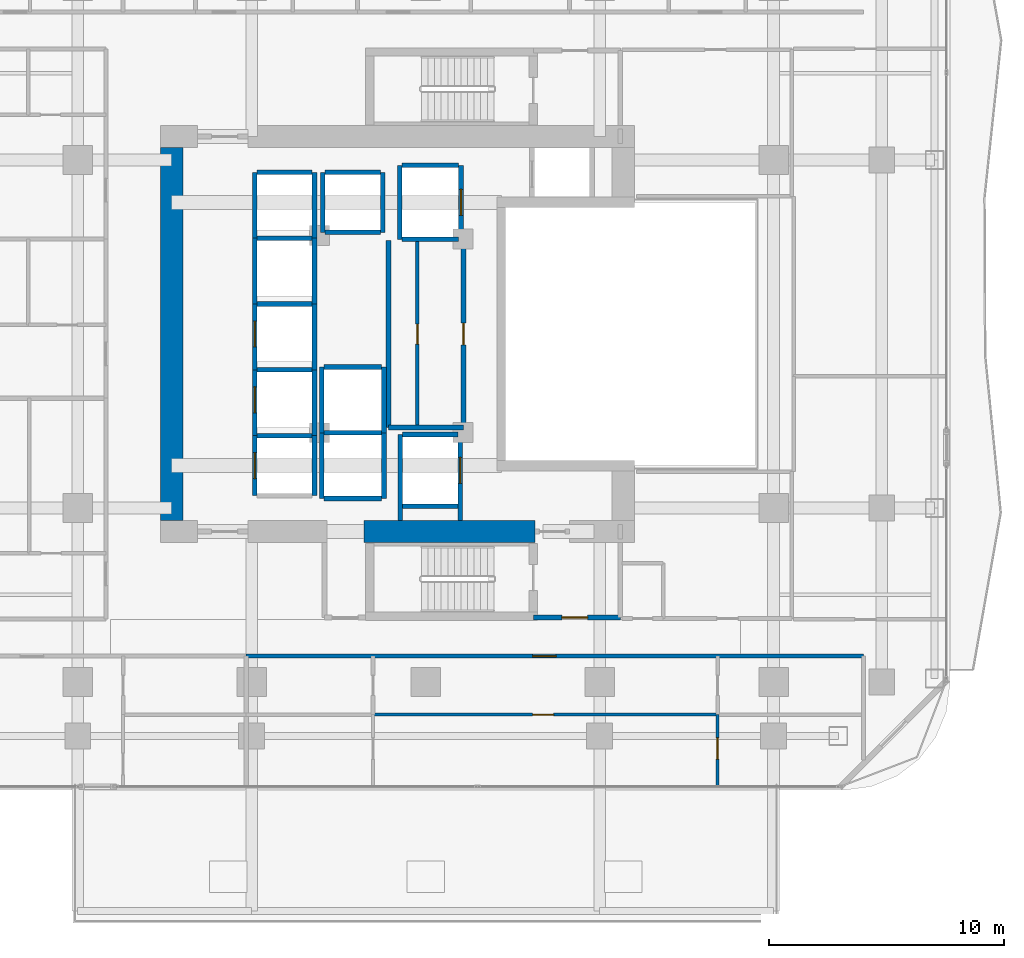
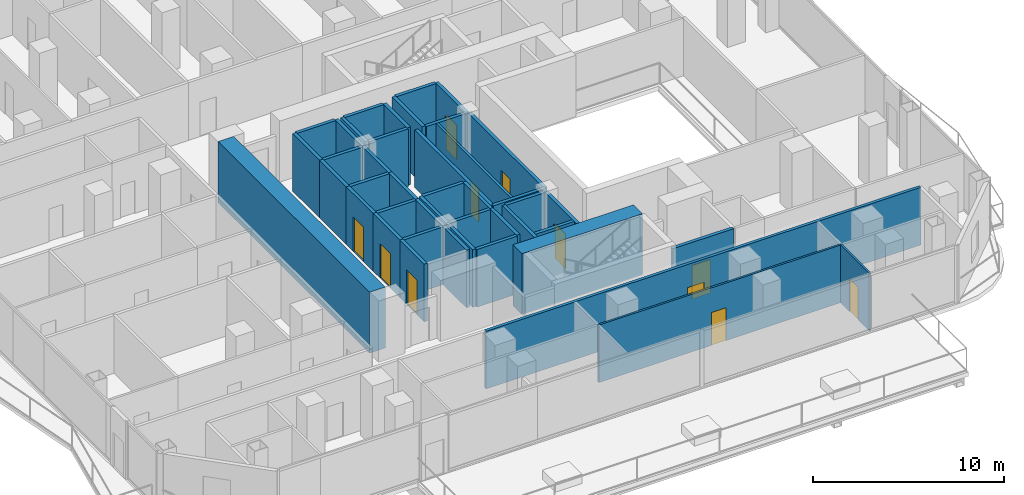
# One storey, part 20 of 29: 44 walls, 11 doors, 11 openings.
"""IFC4 building model written with IfcOpenShell, lengths in metres."""

from ifc_helpers import new_model, si_unit, direction, frame, frame_2d, origin, place, context, subcontext, project, spatial, rectangle, extrude, material, layer, layer_set, type_object, element, fill, save


model = new_model("IFC4")

# Units and contexts
model_context = context("Model", 3, precision=1e-05, world=origin(), true_north=direction((0.0, 1.0)))
body_context = subcontext(model_context, "Body", "Model", "MODEL_VIEW")
ifc_project = project(units=[si_unit("LENGTHUNIT", "METRE"), si_unit("AREAUNIT", "SQUARE_METRE"), si_unit("VOLUMEUNIT", "CUBIC_METRE"), si_unit("PLANEANGLEUNIT", "RADIAN"), si_unit("MASSUNIT", "GRAM", prefix="KILO")], contexts=[model_context])

# Site, building, storey
site_placement = place(None, origin())
site = spatial("IfcSite", under=ifc_project, at=site_placement, CompositionType="ELEMENT")
building_placement = place(site_placement, origin())
building = spatial("IfcBuilding", under=site, at=building_placement, Name="Khorvyn Point Tower", CompositionType="ELEMENT")
storey_placement = place(building_placement, frame((0.0, 0.0, 85.199951171875)))
storey = spatial("IfcBuildingStorey", under=building, at=storey_placement, Name="L21", CompositionType="ELEMENT", Elevation=85.199951171875)

# Wall, opening, door
ifc_material_1 = material(Name="Double acoustic gypsum on twin steel stud", Category="steel")
ifc_layer_1 = layer(ifc_material_1, 0.179931640625)
ifc_layer_set_1 = layer_set([ifc_layer_1], Name="Acoustic Double-Stud Apartment Demising Wall 180")
wall_type_1 = type_object("IfcWallType", Name="Acoustic Double-Stud Apartment Demising Wall 180", PredefinedType="PARTITIONING", material=ifc_layer_set_1)
wall_1_placement = place(storey_placement, frame((-7.634033203125, -13.699951171875, 0.0), z_axis=(0.0, 0.0, 1.0), x_axis=(1.0, 0.0, 0.0)))
wall_1 = element("IfcWall", 1, at=wall_1_placement, inside=storey, type_object=wall_type_1, Name="Wall", PredefinedType="PARTITIONING", context=body_context, shape_type="SweptSolid", body=[
    extrude(rectangle(XDim=26.254150390625, YDim=0.179931640625, at=frame_2d((13.126953125, 0.0))), origin(), (0.0, 0.0, 1.0), 3.679931640625),
])
opening_1_placement = place(wall_1_placement, frame((12.178466796875, 0.0, 0.0)))
opening_1 = element("IfcOpeningElement", 2, at=opening_1_placement, cuts=wall_1, Name="Opening ID-AP60", PredefinedType="OPENING", context=body_context, shape_type="SweptSolid", body=[
    extrude(rectangle(XDim=1.0, YDim=2.199951171875, at=frame_2d((0.5, 1.10009765625))), frame((0.0, 0.099853515625, 0.0), z_axis=(0.0, -1.0, 0.0), x_axis=(1.0, 0.0, 0.0)), (0.0, 0.0, 1.0), 0.199951171875),
])
ifc_material_2 = material(Name="Engineered hardwood fire-rated leaf", Category="wood")
door_type_1 = type_object("IfcDoorType", Name="Acoustic Solid-Core Timber Apartment Entrance Door 1000x2200", OperationType="NOTDEFINED", PredefinedType="DOOR", material=ifc_material_2)
door_1_placement = place(opening_1_placement, origin())
door_1 = element("IfcDoor", 3, at=door_1_placement, inside=storey, type_object=door_type_1, Name="Door", OperationType="SINGLE_SWING_LEFT", OverallHeight=2.199951171875, OverallWidth=1.0, PredefinedType="DOOR", context=body_context, shape_type="SweptSolid", body=[
    extrude(rectangle(XDim=1.0, YDim=2.199951171875, at=frame_2d((0.5, 1.10009765625))), frame((0.0, 0.02490234375, 0.0), z_axis=(0.0, -1.0, 0.0), x_axis=(1.0, 0.0, 0.0)), (0.0, 0.0, 1.0), 0.050048828125),
])
fill(opening_1, door_1)

ifc_material_3 = material(Name="Concrete C40/50", Category="concrete")
ifc_layer_2 = layer(ifc_material_3, 0.199951171875)
ifc_layer_set_2 = layer_set([ifc_layer_2], Name="Concrete C40/50 Fire-Lobby Compartment Wall 200")
wall_type_2 = type_object("IfcWallType", Name="Concrete C40/50 Fire-Lobby Compartment Wall 200", PredefinedType="SOLIDWALL", material=ifc_layer_set_2)
wall_2_placement = place(storey_placement, frame((4.580078125, -12.06005859375, 0.0), z_axis=(0.0, 0.0, 1.0), x_axis=(1.0, 0.0, 0.0)))
wall_2 = element("IfcWall", 4, at=wall_2_placement, inside=storey, type_object=wall_type_2, Name="Wall", PredefinedType="SOLIDWALL", context=body_context, shape_type="SweptSolid", body=[
    extrude(rectangle(XDim=3.699951171875, YDim=0.199951171875, at=frame_2d((1.85009765625, 0.0))), origin(), (0.0, 0.0, 1.0), 3.679931640625),
])
opening_2_placement = place(wall_2_placement, frame((1.21240234375, 0.0, 0.0)))
opening_2 = element("IfcOpeningElement", 5, at=opening_2_placement, cuts=wall_2, Name="Opening ID-FL90", PredefinedType="OPENING", context=body_context, shape_type="SweptSolid", body=[
    extrude(rectangle(XDim=1.10009765625, YDim=2.14990234375, at=frame_2d((0.550048828125, 1.074951171875))), frame((0.0, 0.10986328125, 0.0), z_axis=(0.0, -1.0, 0.0), x_axis=(1.0, 0.0, 0.0)), (0.0, 0.0, 1.0), 0.219970703125),
])
ifc_material_4 = material(Name="Galvanised powder-coated steel", Category="steel")
door_type_2 = type_object("IfcDoorType", Name="Fire-Rated Steel Lobby and Stair Door 1100x2150", OperationType="NOTDEFINED", PredefinedType="DOOR", material=ifc_material_4)
door_2_placement = place(opening_2_placement, origin())
door_2 = element("IfcDoor", 6, at=door_2_placement, inside=storey, type_object=door_type_2, Name="Door", OperationType="SINGLE_SWING_RIGHT", OverallHeight=2.14990234375, OverallWidth=1.10009765625, PredefinedType="DOOR", context=body_context, shape_type="SweptSolid", body=[
    extrude(rectangle(XDim=1.10009765625, YDim=2.14990234375, at=frame_2d((0.550048828125, 1.074951171875))), frame((0.0, 0.02490234375, 0.0), z_axis=(0.0, -1.0, 0.0), x_axis=(1.0, 0.0, 0.0)), (0.0, 0.0, 1.0), 0.050048828125),
])
fill(opening_2, door_2)

wall_3_placement = place(storey_placement, frame((1.610107421875, -3.97998046875, 0.0), z_axis=(0.0, 0.0, 1.0), x_axis=(0.0, 1.0, 0.0)))
wall_3 = element("IfcWall", 7, at=wall_3_placement, inside=storey, type_object=wall_type_2, Name="Wall", PredefinedType="SOLIDWALL", context=body_context, shape_type="SweptSolid", body=[
    extrude(rectangle(XDim=7.9599609375, YDim=0.199951171875, at=frame_2d((3.97998046875, 0.0))), origin(), (0.0, 0.0, 1.0), 3.679931640625),
])
opening_3_placement = place(wall_3_placement, frame((3.52001953125, 0.0, 0.0)))
opening_3 = element("IfcOpeningElement", 8, at=opening_3_placement, cuts=wall_3, Name="Opening ID-RS60", PredefinedType="OPENING", context=body_context, shape_type="SweptSolid", body=[
    extrude(rectangle(XDim=0.919921875, YDim=2.10009765625, at=frame_2d((0.4599609375, 1.050048828125))), frame((0.0, 0.10986328125, 0.0), z_axis=(0.0, -1.0, 0.0), x_axis=(1.0, 0.0, 0.0)), (0.0, 0.0, 1.0), 0.219970703125),
])
door_type_3 = type_object("IfcDoorType", Name="Fire-Rated Riser and Store Steel Door 920x2100", OperationType="NOTDEFINED", PredefinedType="DOOR", material=ifc_material_4)
door_3_placement = place(opening_3_placement, origin())
door_3 = element("IfcDoor", 9, at=door_3_placement, inside=storey, type_object=door_type_3, Name="Door", OperationType="SINGLE_SWING_LEFT", OverallHeight=2.10009765625, OverallWidth=0.919921875, PredefinedType="DOOR", context=body_context, shape_type="SweptSolid", body=[
    extrude(rectangle(XDim=0.919921875, YDim=2.10009765625, at=frame_2d((0.4599609375, 1.050048828125))), frame((0.0, 0.02490234375, 0.0), z_axis=(0.0, -1.0, 0.0), x_axis=(1.0, 0.0, 0.0)), (0.0, 0.0, 1.0), 0.050048828125),
])
fill(opening_3, door_3)

# Walls
wall_4_placement = place(storey_placement, frame((-1.580078125, -3.97998046875, 0.0), z_axis=(0.0, 0.0, 1.0), x_axis=(0.0, 1.0, 0.0)))
element("IfcWall", 10, at=wall_4_placement, inside=storey, type_object=wall_type_2, Name="Wall", PredefinedType="SOLIDWALL", context=body_context, shape_type="SweptSolid", body=[
    extrude(rectangle(XDim=7.9599609375, YDim=0.199951171875, at=frame_2d((3.97998046875, 0.0))), origin(), (0.0, 0.0, 1.0), 3.679931640625),
])
wall_5_placement = place(storey_placement, frame((-1.580078125, -3.97998046875, 0.0), z_axis=(0.0, 0.0, 1.0), x_axis=(1.0, 0.0, 0.0)))
element("IfcWall", 11, at=wall_5_placement, inside=storey, type_object=wall_type_2, Name="Wall", PredefinedType="SOLIDWALL", context=body_context, shape_type="SweptSolid", body=[
    extrude(rectangle(XDim=3.190185546875, YDim=0.199951171875, at=frame_2d((1.59521484375, 0.0))), origin(), (0.0, 0.0, 1.0), 3.679931640625),
])

# Wall, opening, door
ifc_layer_3 = layer(ifc_material_3, 0.199951171875)
ifc_layer_set_3 = layer_set([ifc_layer_3], Name="Concrete C40/50 Structural Hoistway and Stair Shaft Wall 200")
wall_type_3 = type_object("IfcWallType", Name="Concrete C40/50 Structural Hoistway and Stair Shaft Wall 200", PredefinedType="SHEAR", material=ifc_layer_set_3)
wall_6_placement = place(storey_placement, frame((-7.27490234375, -6.875, 0.0), z_axis=(0.0, 0.0, 1.0), x_axis=(0.0, 1.0, 0.0)))
wall_6 = element("IfcWall", 12, at=wall_6_placement, inside=storey, type_object=wall_type_3, Name="Wall", PredefinedType="SHEAR", context=body_context, shape_type="SweptSolid", body=[
    extrude(rectangle(XDim=2.550048828125, YDim=0.199951171875, at=frame_2d((1.27490234375, 0.0))), origin(), (0.0, 0.0, 1.0), 3.679931640625),
])
opening_4_placement = place(wall_6_placement, frame((0.72509765625, 0.0, 0.0)))
opening_4 = element("IfcOpeningElement", 13, at=opening_4_placement, cuts=wall_6, Name="Opening LD-1122", PredefinedType="OPENING", context=body_context, shape_type="SweptSolid", body=[
    extrude(rectangle(XDim=1.10009765625, YDim=2.199951171875, at=frame_2d((0.550048828125, 1.10009765625))), frame((0.0, 0.10986328125, 0.0), z_axis=(0.0, -1.0, 0.0), x_axis=(1.0, 0.0, 0.0)), (0.0, 0.0, 1.0), 0.219970703125),
])
ifc_material_5 = material(Name="Stainless steel 1.4301", Category="steel")
door_type_4 = type_object("IfcDoorType", Name="Stainless Steel Automatic Sliding Lift Landing Door 1100x2200", OperationType="SLIDING_TO_LEFT", PredefinedType="DOOR", material=ifc_material_5)
door_4_placement = place(opening_4_placement, origin())
door_4 = element("IfcDoor", 14, at=door_4_placement, inside=storey, type_object=door_type_4, Name="L21 RL-01 Sliding Lift Landing Door", OperationType="SLIDING_TO_LEFT", OverallHeight=2.199951171875, OverallWidth=1.10009765625, PredefinedType="DOOR", context=body_context, shape_type="SweptSolid", body=[
    extrude(rectangle(XDim=1.10009765625, YDim=2.199951171875, at=frame_2d((0.550048828125, 1.10009765625))), frame((0.0, 0.02490234375, 0.0), z_axis=(0.0, -1.0, 0.0), x_axis=(1.0, 0.0, 0.0)), (0.0, 0.0, 1.0), 0.050048828125),
])
fill(opening_4, door_4)

# Walls
wall_7_placement = place(storey_placement, frame((-4.72509765625, -6.875, 0.0), z_axis=(0.0, 0.0, 1.0), x_axis=(0.0, 1.0, 0.0)))
element("IfcWall", 15, at=wall_7_placement, inside=storey, type_object=wall_type_3, Name="Wall", PredefinedType="SHEAR", context=body_context, shape_type="SweptSolid", body=[
    extrude(rectangle(XDim=2.550048828125, YDim=0.199951171875, at=frame_2d((1.27490234375, 0.0))), origin(), (0.0, 0.0, 1.0), 3.679931640625),
])
wall_8_placement = place(storey_placement, frame((-7.175048828125, -4.324951171875, 0.0), z_axis=(0.0, 0.0, 1.0), x_axis=(1.0, 0.0, 0.0)))
element("IfcWall", 16, at=wall_8_placement, inside=storey, type_object=wall_type_3, Name="Wall", PredefinedType="SHEAR", context=body_context, shape_type="SweptSolid", body=[
    extrude(rectangle(XDim=2.35009765625, YDim=0.199951171875, at=frame_2d((1.175048828125, 0.0))), origin(), (0.0, 0.0, 1.0), 3.679931640625),
])

# Wall, opening, door
wall_9_placement = place(storey_placement, frame((-7.27490234375, -4.324951171875, 0.0), z_axis=(0.0, 0.0, 1.0), x_axis=(0.0, 1.0, 0.0)))
wall_9 = element("IfcWall", 17, at=wall_9_placement, inside=storey, type_object=wall_type_3, Name="Wall", PredefinedType="SHEAR", context=body_context, shape_type="SweptSolid", body=[
    extrude(rectangle(XDim=2.800048828125, YDim=0.199951171875, at=frame_2d((1.39990234375, 0.0))), origin(), (0.0, 0.0, 1.0), 3.679931640625),
])
opening_5_placement = place(wall_9_placement, frame((0.97509765625, 0.0, 0.0)))
opening_5 = element("IfcOpeningElement", 18, at=opening_5_placement, cuts=wall_9, Name="Opening LD-1122", PredefinedType="OPENING", context=body_context, shape_type="SweptSolid", body=[
    extrude(rectangle(XDim=1.10009765625, YDim=2.199951171875, at=frame_2d((0.550048828125, 1.10009765625))), frame((0.0, 0.10986328125, 0.0), z_axis=(0.0, -1.0, 0.0), x_axis=(1.0, 0.0, 0.0)), (0.0, 0.0, 1.0), 0.219970703125),
])
door_5_placement = place(opening_5_placement, origin())
door_5 = element("IfcDoor", 19, at=door_5_placement, inside=storey, type_object=door_type_4, Name="L21 RL-02 Sliding Lift Landing Door", OperationType="SLIDING_TO_LEFT", OverallHeight=2.199951171875, OverallWidth=1.10009765625, PredefinedType="DOOR", context=body_context, shape_type="SweptSolid", body=[
    extrude(rectangle(XDim=1.10009765625, YDim=2.199951171875, at=frame_2d((0.550048828125, 1.10009765625))), frame((0.0, 0.02490234375, 0.0), z_axis=(0.0, -1.0, 0.0), x_axis=(1.0, 0.0, 0.0)), (0.0, 0.0, 1.0), 0.050048828125),
])
fill(opening_5, door_5)

# Walls
wall_10_placement = place(storey_placement, frame((-4.72509765625, -4.324951171875, 0.0), z_axis=(0.0, 0.0, 1.0), x_axis=(0.0, 1.0, 0.0)))
element("IfcWall", 20, at=wall_10_placement, inside=storey, type_object=wall_type_3, Name="Wall", PredefinedType="SHEAR", context=body_context, shape_type="SweptSolid", body=[
    extrude(rectangle(XDim=2.800048828125, YDim=0.199951171875, at=frame_2d((1.39990234375, 0.0))), origin(), (0.0, 0.0, 1.0), 3.679931640625),
])
wall_11_placement = place(storey_placement, frame((-7.175048828125, -1.52490234375, 0.0), z_axis=(0.0, 0.0, 1.0), x_axis=(1.0, 0.0, 0.0)))
element("IfcWall", 21, at=wall_11_placement, inside=storey, type_object=wall_type_3, Name="Wall", PredefinedType="SHEAR", context=body_context, shape_type="SweptSolid", body=[
    extrude(rectangle(XDim=2.35009765625, YDim=0.199951171875, at=frame_2d((1.175048828125, 0.0))), origin(), (0.0, 0.0, 1.0), 3.679931640625),
])

# Wall, opening, door
wall_12_placement = place(storey_placement, frame((-7.27490234375, -1.52490234375, 0.0), z_axis=(0.0, 0.0, 1.0), x_axis=(0.0, 1.0, 0.0)))
wall_12 = element("IfcWall", 22, at=wall_12_placement, inside=storey, type_object=wall_type_3, Name="Wall", PredefinedType="SHEAR", context=body_context, shape_type="SweptSolid", body=[
    extrude(rectangle(XDim=2.7998046875, YDim=0.199951171875, at=frame_2d((1.39990234375, 0.0))), origin(), (0.0, 0.0, 1.0), 3.679931640625),
])
opening_6_placement = place(wall_12_placement, frame((0.97509765625, 0.0, 0.0)))
opening_6 = element("IfcOpeningElement", 23, at=opening_6_placement, cuts=wall_12, Name="Opening LD-1122", PredefinedType="OPENING", context=body_context, shape_type="SweptSolid", body=[
    extrude(rectangle(XDim=1.10009765625, YDim=2.199951171875, at=frame_2d((0.550048828125, 1.10009765625))), frame((0.0, 0.10986328125, 0.0), z_axis=(0.0, -1.0, 0.0), x_axis=(1.0, 0.0, 0.0)), (0.0, 0.0, 1.0), 0.219970703125),
])
door_6_placement = place(opening_6_placement, origin())
door_6 = element("IfcDoor", 24, at=door_6_placement, inside=storey, type_object=door_type_4, Name="L21 RL-03 Sliding Lift Landing Door", OperationType="SLIDING_TO_LEFT", OverallHeight=2.199951171875, OverallWidth=1.10009765625, PredefinedType="DOOR", context=body_context, shape_type="SweptSolid", body=[
    extrude(rectangle(XDim=1.10009765625, YDim=2.199951171875, at=frame_2d((0.550048828125, 1.10009765625))), frame((0.0, 0.02490234375, 0.0), z_axis=(0.0, -1.0, 0.0), x_axis=(1.0, 0.0, 0.0)), (0.0, 0.0, 1.0), 0.050048828125),
])
fill(opening_6, door_6)

# Walls
wall_13_placement = place(storey_placement, frame((-4.72509765625, -1.52490234375, 0.0), z_axis=(0.0, 0.0, 1.0), x_axis=(0.0, 1.0, 0.0)))
element("IfcWall", 25, at=wall_13_placement, inside=storey, type_object=wall_type_3, Name="Wall", PredefinedType="SHEAR", context=body_context, shape_type="SweptSolid", body=[
    extrude(rectangle(XDim=2.7998046875, YDim=0.199951171875, at=frame_2d((1.39990234375, 0.0))), origin(), (0.0, 0.0, 1.0), 3.679931640625),
])
wall_14_placement = place(storey_placement, frame((-7.175048828125, 1.27490234375, 0.0), z_axis=(0.0, 0.0, 1.0), x_axis=(1.0, 0.0, 0.0)))
element("IfcWall", 26, at=wall_14_placement, inside=storey, type_object=wall_type_3, Name="Wall", PredefinedType="SHEAR", context=body_context, shape_type="SweptSolid", body=[
    extrude(rectangle(XDim=2.35009765625, YDim=0.199951171875, at=frame_2d((1.175048828125, 0.0))), origin(), (0.0, 0.0, 1.0), 3.679931640625),
])
for number, where, z_axis, x_axis, name in (
    (27, (-7.27490234375, 1.27490234375, 0.0), (0.0, 0.0, 1.0), (0.0, 1.0, 0.0), "Wall"),
    (28, (-4.72509765625, 1.27490234375, 0.0), (0.0, 0.0, 1.0), (0.0, 1.0, 0.0), "Wall"),
):
    element("IfcWall", number, at=place(storey_placement, frame(where, z_axis=z_axis, x_axis=x_axis)), inside=storey, type_object=wall_type_3, Name=name, PredefinedType="SHEAR", context=body_context, shape_type="SweptSolid", body=[
        extrude(rectangle(XDim=2.800048828125, YDim=0.199951171875, at=frame_2d((1.39990234375, 0.0))), origin(), (0.0, 0.0, 1.0), 3.679931640625),
    ])
wall_15_placement = place(storey_placement, frame((-7.175048828125, 4.074951171875, 0.0), z_axis=(0.0, 0.0, 1.0), x_axis=(1.0, 0.0, 0.0)))
element("IfcWall", 29, at=wall_15_placement, inside=storey, type_object=wall_type_3, Name="Wall", PredefinedType="SHEAR", context=body_context, shape_type="SweptSolid", body=[
    extrude(rectangle(XDim=2.35009765625, YDim=0.199951171875, at=frame_2d((1.175048828125, 0.0))), origin(), (0.0, 0.0, 1.0), 3.679931640625),
])
for number, where, z_axis, x_axis, name in (
    (30, (-7.27490234375, 4.074951171875, 0.0), (0.0, 0.0, 1.0), (0.0, 1.0, 0.0), "Wall"),
    (31, (-4.72509765625, 4.074951171875, 0.0), (0.0, 0.0, 1.0), (0.0, 1.0, 0.0), "Wall"),
):
    element("IfcWall", number, at=place(storey_placement, frame(where, z_axis=z_axis, x_axis=x_axis)), inside=storey, type_object=wall_type_3, Name=name, PredefinedType="SHEAR", context=body_context, shape_type="SweptSolid", body=[
        extrude(rectangle(XDim=2.800048828125, YDim=0.199951171875, at=frame_2d((1.39990234375, 0.0))), origin(), (0.0, 0.0, 1.0), 3.679931640625),
    ])
wall_16_placement = place(storey_placement, frame((-7.175048828125, 6.875, 0.0), z_axis=(0.0, 0.0, 1.0), x_axis=(1.0, 0.0, 0.0)))
element("IfcWall", 32, at=wall_16_placement, inside=storey, type_object=wall_type_3, Name="Wall", PredefinedType="SHEAR", context=body_context, shape_type="SweptSolid", body=[
    extrude(rectangle(XDim=2.35009765625, YDim=0.199951171875, at=frame_2d((1.175048828125, 0.0))), origin(), (0.0, 0.0, 1.0), 3.679931640625),
])
for number, where, z_axis, x_axis, name in (
    (33, (-4.375, 4.324951171875, 0.0), (0.0, 0.0, 1.0), (0.0, 1.0, 0.0), "Wall"),
    (34, (-1.824951171875, 4.324951171875, 0.0), (0.0, 0.0, 1.0), (0.0, 1.0, 0.0), "Wall"),
):
    element("IfcWall", number, at=place(storey_placement, frame(where, z_axis=z_axis, x_axis=x_axis)), inside=storey, type_object=wall_type_3, Name=name, PredefinedType="SHEAR", context=body_context, shape_type="SweptSolid", body=[
        extrude(rectangle(XDim=2.550048828125, YDim=0.199951171875, at=frame_2d((1.27490234375, 0.0))), origin(), (0.0, 0.0, 1.0), 3.679931640625),
    ])
for number, where, z_axis, x_axis, name in (
    (35, (-4.27490234375, 4.324951171875, 0.0), (0.0, 0.0, 1.0), (1.0, 0.0, 0.0), "Wall"),
    (36, (-4.27490234375, 6.875, 0.0), (0.0, 0.0, 1.0), (1.0, 0.0, 0.0), "Wall"),
):
    element("IfcWall", number, at=place(storey_placement, frame(where, z_axis=z_axis, x_axis=x_axis)), inside=storey, type_object=wall_type_3, Name=name, PredefinedType="SHEAR", context=body_context, shape_type="SweptSolid", body=[
        extrude(rectangle(XDim=2.349853515625, YDim=0.199951171875, at=frame_2d((1.1748046875, 0.0))), origin(), (0.0, 0.0, 1.0), 3.679931640625),
    ])
for number, where, z_axis, x_axis, name in (
    (37, (-4.425048828125, -7.0, 0.0), (0.0, 0.0, 1.0), (0.0, 1.0, 0.0), "Wall"),
    (38, (-1.77490234375, -7.0, 0.0), (0.0, 0.0, 1.0), (0.0, 1.0, 0.0), "Wall"),
):
    element("IfcWall", number, at=place(storey_placement, frame(where, z_axis=z_axis, x_axis=x_axis)), inside=storey, type_object=wall_type_3, Name=name, PredefinedType="SHEAR", context=body_context, shape_type="SweptSolid", body=[
        extrude(rectangle(XDim=2.800048828125, YDim=0.199951171875, at=frame_2d((1.39990234375, 0.0))), origin(), (0.0, 0.0, 1.0), 3.679931640625),
    ])
for number, where, z_axis, x_axis, name in (
    (39, (-4.324951171875, -7.0, 0.0), (0.0, 0.0, 1.0), (1.0, 0.0, 0.0), "Wall"),
    (40, (-4.324951171875, -4.199951171875, 0.0), (0.0, 0.0, 1.0), (1.0, 0.0, 0.0), "Wall"),
):
    element("IfcWall", number, at=place(storey_placement, frame(where, z_axis=z_axis, x_axis=x_axis)), inside=storey, type_object=wall_type_3, Name=name, PredefinedType="SHEAR", context=body_context, shape_type="SweptSolid", body=[
        extrude(rectangle(XDim=2.449951171875, YDim=0.199951171875, at=frame_2d((1.22509765625, 0.0))), origin(), (0.0, 0.0, 1.0), 3.679931640625),
    ])
for number, where, z_axis, x_axis, name in (
    (41, (-4.425048828125, -4.199951171875, 0.0), (0.0, 0.0, 1.0), (0.0, 1.0, 0.0), "Wall"),
    (42, (-1.77490234375, -4.199951171875, 0.0), (0.0, 0.0, 1.0), (0.0, 1.0, 0.0), "Wall"),
):
    element("IfcWall", number, at=place(storey_placement, frame(where, z_axis=z_axis, x_axis=x_axis)), inside=storey, type_object=wall_type_3, Name=name, PredefinedType="SHEAR", context=body_context, shape_type="SweptSolid", body=[
        extrude(rectangle(XDim=2.800048828125, YDim=0.199951171875, at=frame_2d((1.39990234375, 0.0))), origin(), (0.0, 0.0, 1.0), 3.679931640625),
    ])
wall_17_placement = place(storey_placement, frame((-4.324951171875, -1.39990234375, 0.0), z_axis=(0.0, 0.0, 1.0), x_axis=(1.0, 0.0, 0.0)))
element("IfcWall", 43, at=wall_17_placement, inside=storey, type_object=wall_type_3, Name="Wall", PredefinedType="SHEAR", context=body_context, shape_type="SweptSolid", body=[
    extrude(rectangle(XDim=2.449951171875, YDim=0.199951171875, at=frame_2d((1.22509765625, 0.0))), origin(), (0.0, 0.0, 1.0), 3.679931640625),
])
wall_18_placement = place(storey_placement, frame((-1.10009765625, 4.02490234375, 0.0), z_axis=(0.0, 0.0, 1.0), x_axis=(0.0, 1.0, 0.0)))
element("IfcWall", 44, at=wall_18_placement, inside=storey, type_object=wall_type_3, Name="Wall", PredefinedType="SHEAR", context=body_context, shape_type="SweptSolid", body=[
    extrude(rectangle(XDim=3.150146484375, YDim=0.199951171875, at=frame_2d((1.5751953125, 0.0))), origin(), (0.0, 0.0, 1.0), 3.679931640625),
])

# Wall, opening, door
wall_19_placement = place(storey_placement, frame((1.5, 4.02490234375, 0.0), z_axis=(0.0, 0.0, 1.0), x_axis=(0.0, 1.0, 0.0)))
wall_19 = element("IfcWall", 45, at=wall_19_placement, inside=storey, type_object=wall_type_3, Name="Wall", PredefinedType="SHEAR", context=body_context, shape_type="SweptSolid", body=[
    extrude(rectangle(XDim=3.150146484375, YDim=0.199951171875, at=frame_2d((1.5751953125, 0.0))), origin(), (0.0, 0.0, 1.0), 3.679931640625),
])
opening_7_placement = place(wall_19_placement, frame((1.02490234375, 0.0, 0.0)))
opening_7 = element("IfcOpeningElement", 46, at=opening_7_placement, cuts=wall_19, Name="Opening LD-1122", PredefinedType="OPENING", context=body_context, shape_type="SweptSolid", body=[
    extrude(rectangle(XDim=1.10009765625, YDim=2.199951171875, at=frame_2d((0.550048828125, 1.10009765625))), frame((0.0, 0.10986328125, 0.0), z_axis=(0.0, -1.0, 0.0), x_axis=(1.0, 0.0, 0.0)), (0.0, 0.0, 1.0), 0.219970703125),
])
door_7_placement = place(opening_7_placement, origin())
door_7 = element("IfcDoor", 47, at=door_7_placement, inside=storey, type_object=door_type_4, Name="L21 SV-01 Sliding Lift Landing Door", OperationType="SLIDING_TO_LEFT", OverallHeight=2.199951171875, OverallWidth=1.10009765625, PredefinedType="DOOR", context=body_context, shape_type="SweptSolid", body=[
    extrude(rectangle(XDim=1.10009765625, YDim=2.199951171875, at=frame_2d((0.550048828125, 1.10009765625))), frame((0.0, 0.02490234375, 0.0), z_axis=(0.0, -1.0, 0.0), x_axis=(1.0, 0.0, 0.0)), (0.0, 0.0, 1.0), 0.050048828125),
])
fill(opening_7, door_7)

# Walls
for number, where, z_axis, x_axis, name in (
    (48, (-1.0, 4.02490234375, 0.0), (0.0, 0.0, 1.0), (1.0, 0.0, 0.0), "Wall"),
    (49, (-1.0, 7.175048828125, 0.0), (0.0, 0.0, 1.0), (1.0, 0.0, 0.0), "Wall"),
):
    element("IfcWall", number, at=place(storey_placement, frame(where, z_axis=z_axis, x_axis=x_axis)), inside=storey, type_object=wall_type_3, Name=name, PredefinedType="SHEAR", context=body_context, shape_type="SweptSolid", body=[
        extrude(rectangle(XDim=2.39990234375, YDim=0.199951171875, at=frame_2d((1.199951171875, 0.0))), origin(), (0.0, 0.0, 1.0), 3.679931640625),
    ])
wall_20_placement = place(storey_placement, frame((-1.074951171875, -7.925048828125, 0.0), z_axis=(0.0, 0.0, 1.0), x_axis=(0.0, 1.0, 0.0)))
element("IfcWall", 50, at=wall_20_placement, inside=storey, type_object=wall_type_3, Name="Wall", PredefinedType="SHEAR", context=body_context, shape_type="SweptSolid", body=[
    extrude(rectangle(XDim=3.650146484375, YDim=0.199951171875, at=frame_2d((1.8251953125, 0.0))), origin(), (0.0, 0.0, 1.0), 3.679931640625),
])

# Wall, opening, door
wall_21_placement = place(storey_placement, frame((1.47509765625, -7.925048828125, 0.0), z_axis=(0.0, 0.0, 1.0), x_axis=(0.0, 1.0, 0.0)))
wall_21 = element("IfcWall", 51, at=wall_21_placement, inside=storey, type_object=wall_type_3, Name="Wall", PredefinedType="SHEAR", context=body_context, shape_type="SweptSolid", body=[
    extrude(rectangle(XDim=3.650146484375, YDim=0.199951171875, at=frame_2d((1.8251953125, 0.0))), origin(), (0.0, 0.0, 1.0), 3.679931640625),
])
opening_8_placement = place(wall_21_placement, frame((1.574951171875, 0.0, 0.0)))
opening_8 = element("IfcOpeningElement", 52, at=opening_8_placement, cuts=wall_21, Name="Opening LD-1122", PredefinedType="OPENING", context=body_context, shape_type="SweptSolid", body=[
    extrude(rectangle(XDim=1.10009765625, YDim=2.199951171875, at=frame_2d((0.550048828125, 1.10009765625))), frame((0.0, 0.10986328125, 0.0), z_axis=(0.0, -1.0, 0.0), x_axis=(1.0, 0.0, 0.0)), (0.0, 0.0, 1.0), 0.219970703125),
])
door_8_placement = place(opening_8_placement, origin())
door_8 = element("IfcDoor", 53, at=door_8_placement, inside=storey, type_object=door_type_4, Name="L21 FF-01 Sliding Lift Landing Door", OperationType="SLIDING_TO_LEFT", OverallHeight=2.199951171875, OverallWidth=1.10009765625, PredefinedType="DOOR", context=body_context, shape_type="SweptSolid", body=[
    extrude(rectangle(XDim=1.10009765625, YDim=2.199951171875, at=frame_2d((0.550048828125, 1.10009765625))), frame((0.0, 0.02490234375, 0.0), z_axis=(0.0, -1.0, 0.0), x_axis=(1.0, 0.0, 0.0)), (0.0, 0.0, 1.0), 0.050048828125),
])
fill(opening_8, door_8)

# Walls
for number, where, z_axis, x_axis, name in (
    (54, (-0.97509765625, -7.324951171875, 0.0), (0.0, 0.0, 1.0), (1.0, 0.0, 0.0), "Wall"),
    (55, (-0.97509765625, -4.27490234375, 0.0), (0.0, 0.0, 1.0), (1.0, 0.0, 0.0), "Wall"),
):
    element("IfcWall", number, at=place(storey_placement, frame(where, z_axis=z_axis, x_axis=x_axis)), inside=storey, type_object=wall_type_3, Name=name, PredefinedType="SHEAR", context=body_context, shape_type="SweptSolid", body=[
        extrude(rectangle(XDim=2.35009765625, YDim=0.199951171875, at=frame_2d((1.175048828125, 0.0))), origin(), (0.0, 0.0, 1.0), 3.679931640625),
    ])
ifc_material_6 = material(Name="Concrete C50/60", Category="concrete")
ifc_layer_4 = layer(ifc_material_6, 0.949951171875)
ifc_layer_set_4 = layer_set([ifc_layer_4], Name="Concrete C50/60 Core Shear Wall 950")
wall_type_4 = type_object("IfcWallType", Name="Concrete C50/60 Core Shear Wall 950", PredefinedType="SHEAR", material=ifc_layer_set_4)
wall_22_placement = place(storey_placement, frame((-2.6201171875, -8.39990234375, 0.0), z_axis=(0.0, 0.0, 1.0), x_axis=(1.0, 0.0, 0.0)))
element("IfcWall", 56, at=wall_22_placement, inside=storey, type_object=wall_type_4, Name="Wall", PredefinedType="SHEAR", context=body_context, shape_type="SweptSolid", body=[
    extrude(rectangle(XDim=7.27001953125, YDim=0.949951171875, at=frame_2d((3.635009765625, 0.0))), origin(), (0.0, 0.0, 1.0), 3.900146484375),
])
wall_23_placement = place(storey_placement, frame((-10.800048828125, -7.925048828125, 0.0), z_axis=(0.0, 0.0, 1.0), x_axis=(0.0, 1.0, 0.0)))
element("IfcWall", 57, at=wall_23_placement, inside=storey, type_object=wall_type_4, Name="Wall", PredefinedType="SHEAR", context=body_context, shape_type="SweptSolid", body=[
    extrude(rectangle(XDim=15.85009765625, YDim=0.949951171875, at=frame_2d((7.925048828125, 0.0))), origin(), (0.0, 0.0, 1.0), 3.900146484375),
])

# Wall, opening, door
ifc_material_7 = material(Name="Gypsum plasterboard on steel stud", Category="steel")
ifc_layer_5 = layer(ifc_material_7, 0.1201171875)
ifc_layer_set_5 = layer_set([ifc_layer_5], Name="Gypsum Acoustic Stud Room Partition Wall 120")
wall_type_5 = type_object("IfcWallType", Name="Gypsum Acoustic Stud Room Partition Wall 120", PredefinedType="PARTITIONING", material=ifc_layer_set_5)
wall_24_placement = place(storey_placement, frame((-2.239990234375, -16.18994140625, 0.0), z_axis=(0.0, 0.0, 1.0), x_axis=(1.0, 0.0, 0.0)))
wall_24 = element("IfcWall", 58, at=wall_24_placement, inside=storey, type_object=wall_type_5, Name="Wall", PredefinedType="PARTITIONING", context=body_context, shape_type="SweptSolid", body=[
    extrude(rectangle(XDim=14.654052734375, YDim=0.1201171875, at=frame_2d((7.3271484375, 0.0))), origin(), (0.0, 0.0, 1.0), 3.679931640625),
])
opening_9_placement = place(wall_24_placement, frame((6.787353515625, 0.0, 0.0)))
opening_9 = element("IfcOpeningElement", 59, at=opening_9_placement, cuts=wall_24, Name="Opening ID-RM90", PredefinedType="OPENING", context=body_context, shape_type="SweptSolid", body=[
    extrude(rectangle(XDim=0.89990234375, YDim=2.10009765625, at=frame_2d((0.449951171875, 1.050048828125))), frame((0.0, 0.070068359375, 0.0), z_axis=(0.0, -1.0, 0.0), x_axis=(1.0, 0.0, 0.0)), (0.0, 0.0, 1.0), 0.14013671875),
])
ifc_material_8 = material(Name="Engineered oak veneer timber", Category="wood")
door_type_5 = type_object("IfcDoorType", Name="Flush Engineered Timber Room Door 900x2100", OperationType="NOTDEFINED", PredefinedType="DOOR", material=ifc_material_8)
door_9_placement = place(opening_9_placement, origin())
door_9 = element("IfcDoor", 60, at=door_9_placement, inside=storey, type_object=door_type_5, Name="Door", OperationType="SINGLE_SWING_RIGHT", OverallHeight=2.10009765625, OverallWidth=0.89990234375, PredefinedType="DOOR", context=body_context, shape_type="SweptSolid", body=[
    extrude(rectangle(XDim=0.89990234375, YDim=2.10009765625, at=frame_2d((0.449951171875, 1.050048828125))), frame((0.0, 0.02490234375, 0.0), z_axis=(0.0, -1.0, 0.0), x_axis=(1.0, 0.0, 0.0)), (0.0, 0.0, 1.0), 0.050048828125),
])
fill(opening_9, door_9)

wall_25_placement = place(storey_placement, frame((12.4140625, -19.22998046875, 0.0), z_axis=(0.0, 0.0, 1.0), x_axis=(0.0, 1.0, 0.0)))
wall_25 = element("IfcWall", 61, at=wall_25_placement, inside=storey, type_object=wall_type_5, Name="Wall", PredefinedType="PARTITIONING", context=body_context, shape_type="SweptSolid", body=[
    extrude(rectangle(XDim=3.0400390625, YDim=0.1201171875, at=frame_2d((1.52001953125, 0.0))), origin(), (0.0, 0.0, 1.0), 3.679931640625),
])
opening_10_placement = place(wall_25_placement, frame((1.152587890625, 0.0, 0.0)))
opening_10 = element("IfcOpeningElement", 62, at=opening_10_placement, cuts=wall_25, Name="Opening ID-RM90", PredefinedType="OPENING", context=body_context, shape_type="SweptSolid", body=[
    extrude(rectangle(XDim=0.89990234375, YDim=2.10009765625, at=frame_2d((0.449951171875, 1.050048828125))), frame((0.0, 0.070068359375, 0.0), z_axis=(0.0, -1.0, 0.0), x_axis=(1.0, 0.0, 0.0)), (0.0, 0.0, 1.0), 0.14013671875),
])
door_10_placement = place(opening_10_placement, origin())
door_10 = element("IfcDoor", 63, at=door_10_placement, inside=storey, type_object=door_type_5, Name="Door", OperationType="SINGLE_SWING_RIGHT", OverallHeight=2.10009765625, OverallWidth=0.89990234375, PredefinedType="DOOR", context=body_context, shape_type="SweptSolid", body=[
    extrude(rectangle(XDim=0.89990234375, YDim=2.10009765625, at=frame_2d((0.449951171875, 1.050048828125))), frame((0.0, 0.02490234375, 0.0), z_axis=(0.0, -1.0, 0.0), x_axis=(1.0, 0.0, 0.0)), (0.0, 0.0, 1.0), 0.050048828125),
])
fill(opening_10, door_10)

ifc_material_9 = material(Name="Moisture-resistant gypsum and cement board", Category="gypsum")
ifc_layer_6 = layer(ifc_material_9, 0.14990234375)
ifc_layer_set_6 = layer_set([ifc_layer_6], Name="Moisture-Resistant Wet-Room Partition Wall 150")
wall_type_6 = type_object("IfcWallType", Name="Moisture-Resistant Wet-Room Partition Wall 150", PredefinedType="PARTITIONING", material=ifc_layer_set_6)
wall_26_placement = place(storey_placement, frame((-0.35009765625, -3.97998046875, 0.0), z_axis=(0.0, 0.0, 1.0), x_axis=(0.0, 1.0, 0.0)))
wall_26 = element("IfcWall", 64, at=wall_26_placement, inside=storey, type_object=wall_type_6, Name="Wall", PredefinedType="PARTITIONING", context=body_context, shape_type="SweptSolid", body=[
    extrude(rectangle(XDim=7.9599609375, YDim=0.14990234375, at=frame_2d((3.97998046875, 0.0))), origin(), (0.0, 0.0, 1.0), 3.679931640625),
])
opening_11_placement = place(wall_26_placement, frame((3.554931640625, 0.0, 0.0)))
opening_11 = element("IfcOpeningElement", 65, at=opening_11_placement, cuts=wall_26, Name="Opening ID-WC85", PredefinedType="OPENING", context=body_context, shape_type="SweptSolid", body=[
    extrude(rectangle(XDim=0.85009765625, YDim=2.10009765625, at=frame_2d((0.425048828125, 1.050048828125))), frame((0.0, 0.0849609375, 0.0), z_axis=(0.0, -1.0, 0.0), x_axis=(1.0, 0.0, 0.0)), (0.0, 0.0, 1.0), 0.169921875),
])
ifc_material_10 = material(Name="High-pressure laminate on moisture-resistant core", Category="wood")
door_type_6 = type_object("IfcDoorType", Name="Moisture-Resistant Accessible Washroom Door 850x2100", OperationType="NOTDEFINED", PredefinedType="DOOR", material=ifc_material_10)
door_11_placement = place(opening_11_placement, origin())
door_11 = element("IfcDoor", 66, at=door_11_placement, inside=storey, type_object=door_type_6, Name="Door", OperationType="SINGLE_SWING_RIGHT", OverallHeight=2.10009765625, OverallWidth=0.85009765625, PredefinedType="DOOR", context=body_context, shape_type="SweptSolid", body=[
    extrude(rectangle(XDim=0.85009765625, YDim=2.10009765625, at=frame_2d((0.425048828125, 1.050048828125))), frame((0.0, 0.02490234375, 0.0), z_axis=(0.0, -1.0, 0.0), x_axis=(1.0, 0.0, 0.0)), (0.0, 0.0, 1.0), 0.050048828125),
])
fill(opening_11, door_11)

save(model, "model.ifc")
